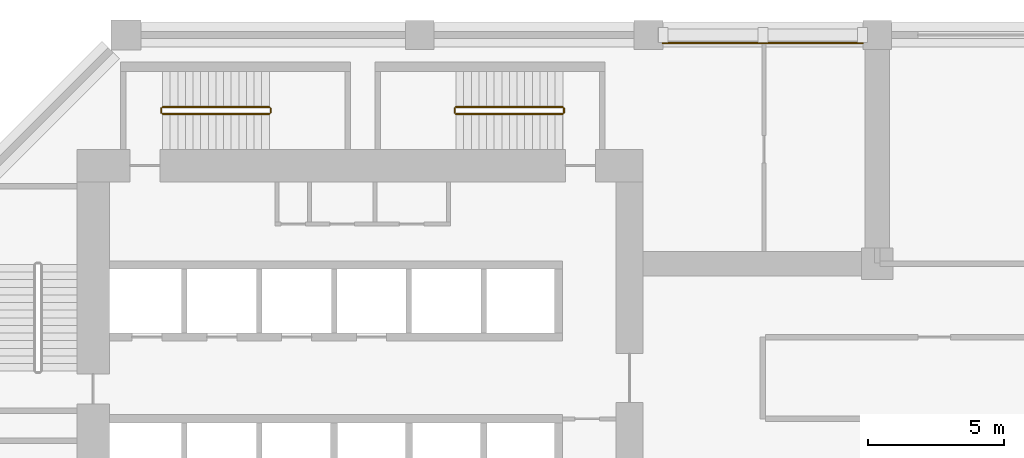
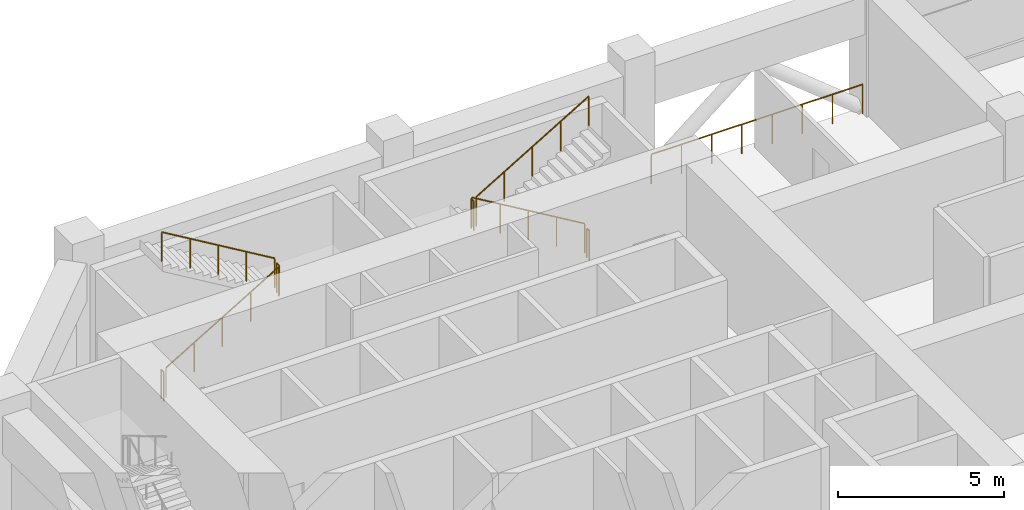
# One storey, part 17 of 19: 9 railings.
"""IFC4 building model written with IfcOpenShell, lengths in metres."""

from ifc_helpers import new_model, si_unit, direction, frame, origin, origin_2d, place, context, subcontext, project, spatial, circle, extrude, material, type_object, element, save


model = new_model("IFC4")

# Units and contexts
model_context = context("Model", 3, precision=1e-05, world=origin(), true_north=direction((0.0, 1.0)))
body_context = subcontext(model_context, "Body", "Model", "MODEL_VIEW")
ifc_project = project(units=[si_unit("LENGTHUNIT", "METRE"), si_unit("AREAUNIT", "SQUARE_METRE"), si_unit("VOLUMEUNIT", "CUBIC_METRE"), si_unit("PLANEANGLEUNIT", "RADIAN"), si_unit("MASSUNIT", "GRAM", prefix="KILO")], contexts=[model_context])

# Site, building, storey
site_placement = place(None, origin())
site = spatial("IfcSite", under=ifc_project, at=site_placement, CompositionType="ELEMENT")
building_placement = place(site_placement, origin())
building = spatial("IfcBuilding", under=site, at=building_placement, Name="Kawkab Arch Medical Tower", CompositionType="ELEMENT")
storey_placement = place(building_placement, frame((0.0, 0.0, 93.800048828125)))
storey = spatial("IfcBuildingStorey", under=building, at=storey_placement, Name="L21", CompositionType="ELEMENT", Elevation=93.800048828125)

# Railings
ifc_material_1 = material(Name="Bronze anodised aluminium guard", Category="aluminium")
railing_type_1 = type_object("IfcRailingType", Name="Loggia and terrace guard 1100", PredefinedType="GUARDRAIL", material=ifc_material_1)
railing_1_placement = place(storey_placement, frame((33.074951171875, -0.300048828125, 0.0)))
element("IfcRailing", 1, at=railing_1_placement, inside=storey, type_object=railing_type_1, Name="Band guard L21.R18.3", PredefinedType="GUARDRAIL", context=body_context, shape_type="SweptSolid", body=[
    extrude(circle(Radius=0.02392578125, at=origin_2d()), frame((0.0, 0.0, 1.076171875), z_axis=(-1.0, 0.0, 0.0), x_axis=(0.0, -1.0, 0.0)), (0.0, 0.0, 1.0), 7.349853515625),
    extrude(circle(Radius=0.02099609375, at=origin_2d()), origin(), (0.0, 0.0, 1.0), 1.052001953125),
    extrude(circle(Radius=0.02099609375, at=origin_2d()), frame((-1.050048828125, 0.0, 0.0)), (0.0, 0.0, 1.0), 1.052001953125),
    extrude(circle(Radius=0.02099609375, at=origin_2d()), frame((-2.099853515625, 0.0, 0.0)), (0.0, 0.0, 1.0), 1.052001953125),
    extrude(circle(Radius=0.02099609375, at=origin_2d()), frame((-3.14990234375, 0.0, 0.0)), (0.0, 0.0, 1.0), 1.052001953125),
    extrude(circle(Radius=0.02099609375, at=origin_2d()), frame((-4.199951171875, 0.0, 0.0)), (0.0, 0.0, 1.0), 1.052001953125),
    extrude(circle(Radius=0.02099609375, at=origin_2d()), frame((-5.25, 0.0, 0.0)), (0.0, 0.0, 1.0), 1.052001953125),
    extrude(circle(Radius=0.02099609375, at=origin_2d()), frame((-6.2998046875, 0.0, 0.0)), (0.0, 0.0, 1.0), 1.052001953125),
    extrude(circle(Radius=0.02099609375, at=origin_2d()), frame((-7.349853515625, 0.0, 0.0)), (0.0, 0.0, 1.0), 1.052001953125),
])
ifc_material_2 = material(Name="Stainless steel", Category="steel")
railing_type_2 = type_object("IfcRailingType", Name="Stair guard 1100", PredefinedType="GUARDRAIL", material=ifc_material_2)
railing_2_placement = place(storey_placement, frame((7.35009765625, -2.89990234375, 0.16650390625)))
element("IfcRailing", 2, at=railing_2_placement, inside=storey, type_object=railing_type_2, Name="L21 ST3 stair guard 1", PredefinedType="GUARDRAIL", context=body_context, shape_type="SweptSolid", body=[
    extrude(circle(Radius=0.02392578125, at=origin_2d()), frame((0.0, 0.0, 1.076171875), z_axis=(0.859272722373, 0.0, 0.511517730471), x_axis=(0.0, 1.0, 0.0)), (0.0, 0.0, 1.0), 4.56201171875),
    extrude(circle(Radius=0.02099609375, at=origin_2d()), origin(), (0.0, 0.0, 1.0), 1.052001953125),
    extrude(circle(Radius=0.02099609375, at=origin_2d()), frame((0.97998046875, 0.0, 0.58349609375)), (0.0, 0.0, 1.0), 1.052001953125),
    extrude(circle(Radius=0.02099609375, at=origin_2d()), frame((1.9599609375, 0.0, 1.166748046875)), (0.0, 0.0, 1.0), 1.052001953125),
    extrude(circle(Radius=0.02099609375, at=origin_2d()), frame((2.93994140625, 0.0, 1.75)), (0.0, 0.0, 1.0), 1.052001953125),
    extrude(circle(Radius=0.02099609375, at=origin_2d()), frame((3.919921875, 0.0, 2.33349609375)), (0.0, 0.0, 1.0), 1.052001953125),
])
railing_3_placement = place(storey_placement, frame((11.320068359375, -2.85009765625, 2.5)))
element("IfcRailing", 3, at=railing_3_placement, inside=storey, type_object=railing_type_2, Name="L21 ST3 stair guard 2", PredefinedType="GUARDRAIL", context=body_context, shape_type="SweptSolid", body=[
    extrude(circle(Radius=0.02392578125, at=origin_2d()), frame((0.0, 0.0, 1.076171875), z_axis=(0.0, 1.0, 0.0), x_axis=(-1.0, 0.0, 0.0)), (0.0, 0.0, 1.0), 0.150146484375),
    extrude(circle(Radius=0.02099609375, at=origin_2d()), origin(), (0.0, 0.0, 1.0), 1.052001953125),
    extrude(circle(Radius=0.02099609375, at=origin_2d()), frame((0.0, 0.150146484375, 0.0)), (0.0, 0.0, 1.0), 1.052001953125),
])
railing_4_placement = place(storey_placement, frame((11.27001953125, -2.64990234375, 2.66650390625)))
element("IfcRailing", 4, at=railing_4_placement, inside=storey, type_object=railing_type_2, Name="L21 ST3 stair guard 3", PredefinedType="GUARDRAIL", context=body_context, shape_type="SweptSolid", body=[
    extrude(circle(Radius=0.02392578125, at=origin_2d()), frame((0.0, 0.0, 1.076171875), z_axis=(-0.859272722373, 0.0, 0.511517730471), x_axis=(0.0, -1.0, 0.0)), (0.0, 0.0, 1.0), 4.56201171875),
    extrude(circle(Radius=0.02099609375, at=origin_2d()), origin(), (0.0, 0.0, 1.0), 1.052001953125),
    extrude(circle(Radius=0.02099609375, at=origin_2d()), frame((-0.97998046875, 0.0, 0.58349609375)), (0.0, 0.0, 1.0), 1.052001953125),
    extrude(circle(Radius=0.02099609375, at=origin_2d()), frame((-1.9599609375, 0.0, 1.166748046875)), (0.0, 0.0, 1.0), 1.052001953125),
    extrude(circle(Radius=0.02099609375, at=origin_2d()), frame((-2.93994140625, 0.0, 1.75)), (0.0, 0.0, 1.0), 1.052001953125),
    extrude(circle(Radius=0.02099609375, at=origin_2d()), frame((-3.919921875, 0.0, 2.33349609375)), (0.0, 0.0, 1.0), 1.052001953125),
])
railing_5_placement = place(storey_placement, frame((7.300048828125, -2.85009765625, 0.0)))
element("IfcRailing", 5, at=railing_5_placement, inside=storey, type_object=railing_type_2, Name="L21 ST3 stair guard 4", PredefinedType="GUARDRAIL", context=body_context, shape_type="SweptSolid", body=[
    extrude(circle(Radius=0.02392578125, at=origin_2d()), frame((0.0, 0.0, 1.076171875), z_axis=(0.0, 1.0, 0.0), x_axis=(-1.0, 0.0, 0.0)), (0.0, 0.0, 1.0), 0.150146484375),
    extrude(circle(Radius=0.02099609375, at=origin_2d()), origin(), (0.0, 0.0, 1.0), 1.052001953125),
    extrude(circle(Radius=0.02099609375, at=origin_2d()), frame((0.0, 0.150146484375, 0.0)), (0.0, 0.0, 1.0), 1.052001953125),
])
railing_6_placement = place(storey_placement, frame((22.050048828125, -2.64990234375, 0.16650390625)))
element("IfcRailing", 6, at=railing_6_placement, inside=storey, type_object=railing_type_2, Name="L21 ST4 stair guard 1", PredefinedType="GUARDRAIL", context=body_context, shape_type="SweptSolid", body=[
    extrude(circle(Radius=0.02392578125, at=origin_2d()), frame((0.0, 0.0, 1.076171875), z_axis=(-0.859286724212, 0.0, 0.511494208758), x_axis=(0.0, -1.0, 0.0)), (0.0, 0.0, 1.0), 4.56201171875),
    extrude(circle(Radius=0.02099609375, at=origin_2d()), origin(), (0.0, 0.0, 1.0), 1.052001953125),
    extrude(circle(Radius=0.02099609375, at=origin_2d()), frame((-0.97998046875, 0.0, 0.58349609375)), (0.0, 0.0, 1.0), 1.052001953125),
    extrude(circle(Radius=0.02099609375, at=origin_2d()), frame((-1.9599609375, 0.0, 1.166748046875)), (0.0, 0.0, 1.0), 1.052001953125),
    extrude(circle(Radius=0.02099609375, at=origin_2d()), frame((-2.940185546875, 0.0, 1.75)), (0.0, 0.0, 1.0), 1.052001953125),
    extrude(circle(Radius=0.02099609375, at=origin_2d()), frame((-3.920166015625, 0.0, 2.33349609375)), (0.0, 0.0, 1.0), 1.052001953125),
])
railing_7_placement = place(storey_placement, frame((18.080078125, -2.699951171875, 2.5)))
element("IfcRailing", 7, at=railing_7_placement, inside=storey, type_object=railing_type_2, Name="L21 ST4 stair guard 2", PredefinedType="GUARDRAIL", context=body_context, shape_type="SweptSolid", body=[
    extrude(circle(Radius=0.02392578125, at=origin_2d()), frame((0.0, 0.0, 1.076171875), z_axis=(0.0, -1.0, 0.0), x_axis=(1.0, 0.0, 0.0)), (0.0, 0.0, 1.0), 0.150146484375),
    extrude(circle(Radius=0.02099609375, at=origin_2d()), origin(), (0.0, 0.0, 1.0), 1.052001953125),
    extrude(circle(Radius=0.02099609375, at=origin_2d()), frame((0.0, -0.150146484375, 0.0)), (0.0, 0.0, 1.0), 1.052001953125),
])
railing_8_placement = place(storey_placement, frame((18.1298828125, -2.89990234375, 2.66650390625)))
element("IfcRailing", 8, at=railing_8_placement, inside=storey, type_object=railing_type_2, Name="L21 ST4 stair guard 3", PredefinedType="GUARDRAIL", context=body_context, shape_type="SweptSolid", body=[
    extrude(circle(Radius=0.02392578125, at=origin_2d()), frame((0.0, 0.0, 1.076171875), z_axis=(0.859286724212, 0.0, 0.511494208758), x_axis=(0.0, 1.0, 0.0)), (0.0, 0.0, 1.0), 4.56201171875),
    extrude(circle(Radius=0.02099609375, at=origin_2d()), origin(), (0.0, 0.0, 1.0), 1.052001953125),
    extrude(circle(Radius=0.02099609375, at=origin_2d()), frame((0.97998046875, 0.0, 0.58349609375)), (0.0, 0.0, 1.0), 1.052001953125),
    extrude(circle(Radius=0.02099609375, at=origin_2d()), frame((1.9599609375, 0.0, 1.166748046875)), (0.0, 0.0, 1.0), 1.052001953125),
    extrude(circle(Radius=0.02099609375, at=origin_2d()), frame((2.940185546875, 0.0, 1.75)), (0.0, 0.0, 1.0), 1.052001953125),
    extrude(circle(Radius=0.02099609375, at=origin_2d()), frame((3.920166015625, 0.0, 2.33349609375)), (0.0, 0.0, 1.0), 1.052001953125),
])
railing_9_placement = place(storey_placement, frame((22.10009765625, -2.699951171875, 0.0)))
element("IfcRailing", 9, at=railing_9_placement, inside=storey, type_object=railing_type_2, Name="L21 ST4 stair guard 4", PredefinedType="GUARDRAIL", context=body_context, shape_type="SweptSolid", body=[
    extrude(circle(Radius=0.02392578125, at=origin_2d()), frame((0.0, 0.0, 1.076171875), z_axis=(0.0, -1.0, 0.0), x_axis=(1.0, 0.0, 0.0)), (0.0, 0.0, 1.0), 0.150146484375),
    extrude(circle(Radius=0.02099609375, at=origin_2d()), origin(), (0.0, 0.0, 1.0), 1.052001953125),
    extrude(circle(Radius=0.02099609375, at=origin_2d()), frame((0.0, -0.150146484375, 0.0)), (0.0, 0.0, 1.0), 1.052001953125),
])

save(model, "model.ifc")
